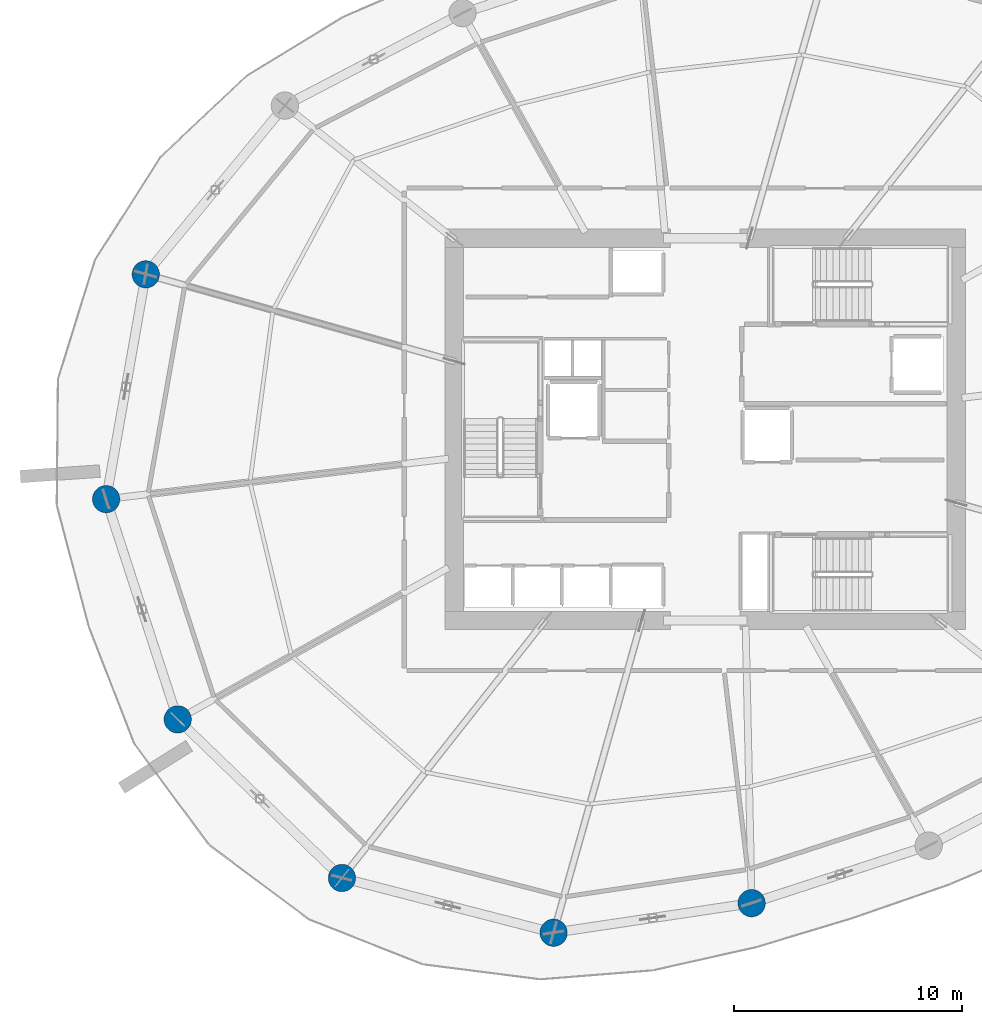
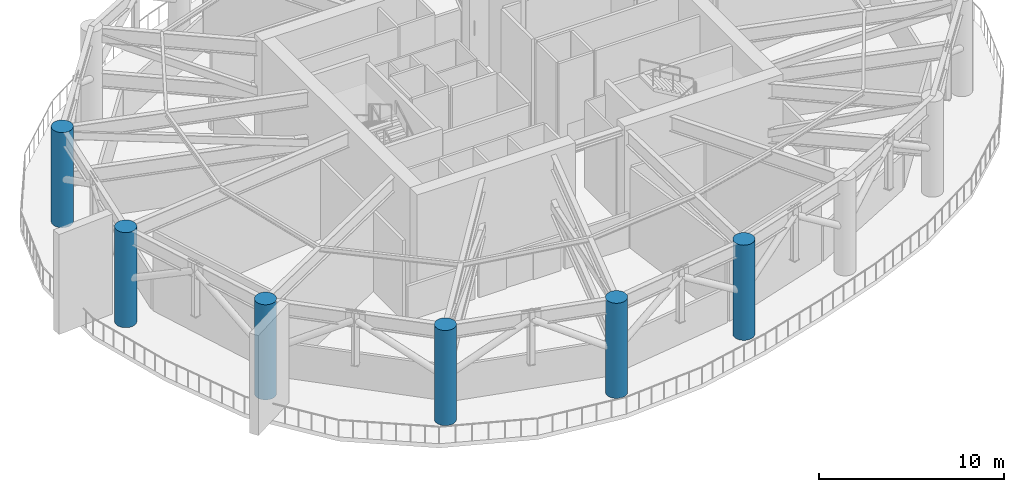
# One storey, part 1 of 19: 6 columns.
"""IFC4 building model written with IfcOpenShell, lengths in metres."""

from ifc_helpers import new_model, si_unit, direction, frame, origin, origin_2d, place, context, subcontext, project, spatial, circle, extrude, material, material_profile, profile_set, type_object, element, save


model = new_model("IFC4")

# Units and contexts
model_context = context("Model", 3, precision=1e-05, world=origin(), true_north=direction((0.0, 1.0)))
body_context = subcontext(model_context, "Body", "Model", "MODEL_VIEW")
ifc_project = project(units=[si_unit("LENGTHUNIT", "METRE"), si_unit("AREAUNIT", "SQUARE_METRE"), si_unit("VOLUMEUNIT", "CUBIC_METRE"), si_unit("PLANEANGLEUNIT", "RADIAN"), si_unit("MASSUNIT", "GRAM", prefix="KILO")], contexts=[model_context])

# Site, building, storey
site_placement = place(None, origin())
site = spatial("IfcSite", under=ifc_project, at=site_placement, CompositionType="ELEMENT")
building_placement = place(site_placement, origin())
building = spatial("IfcBuilding", under=site, at=building_placement, Name="Kazma Halo Residences", CompositionType="ELEMENT")
storey_placement = place(building_placement, frame((0.0, 0.0, 116.39990234375)))
storey = spatial("IfcBuildingStorey", under=building, at=storey_placement, Name="L29", CompositionType="ELEMENT", Elevation=116.39990234375)

# Columns
ifc_material = material(Name="Concrete C80/95", Category="concrete")
ifc_material_profile = material_profile(ifc_material, circle(Radius=0.60009765625, at=origin_2d()), Name="CIRC1200")
ifc_profile_set = profile_set([ifc_material_profile], Name="Concrete C80/95")
column_type = type_object("IfcColumnType", Name="COL-PERIM-1200", PredefinedType="COLUMN", material=ifc_profile_set)
for number, where, z_axis, x_axis, name in (
    (1, (23.844482421875, 48.8125, 0.0), (0.0, 0.0, 1.0), (1.0, 0.0, 0.0), "L29 perimeter ring column P07"),
    (2, (22.102783203125, 38.934814453125, 0.0), (0.0, 0.0, 1.0), (1.0, 0.0, 0.0), "L29 perimeter ring column P08"),
    (3, (25.2470703125, 29.2578125, 0.0), (0.0, 0.0, 1.0), (1.0, 0.0, 0.0), "L29 perimeter ring column P09"),
    (4, (32.462158203125, 22.290283203125, 0.0), (0.0, 0.0, 1.0), (1.0, 0.0, 0.0), "L29 perimeter ring column P10"),
    (5, (41.7626953125, 19.88427734375, 0.0), (0.0, 0.0, 1.0), (1.0, 0.0, 0.0), "L29 perimeter ring column P11"),
    (6, (50.4638671875, 21.183349609375, 0.0), (0.0, 0.0, 1.0), (1.0, 0.0, 0.0), "L29 perimeter ring column P12"),
):
    element("IfcColumn", number, at=place(storey_placement, frame(where, z_axis=z_axis, x_axis=x_axis)), inside=storey, type_object=column_type, Name=name, PredefinedType="COLUMN", context=body_context, shape_type="SweptSolid", body=[
        extrude(circle(Radius=0.60009765625, at=origin_2d()), origin(), (0.0, 0.0, 1.0), 6.280029296875),
    ])

save(model, "model.ifc")
